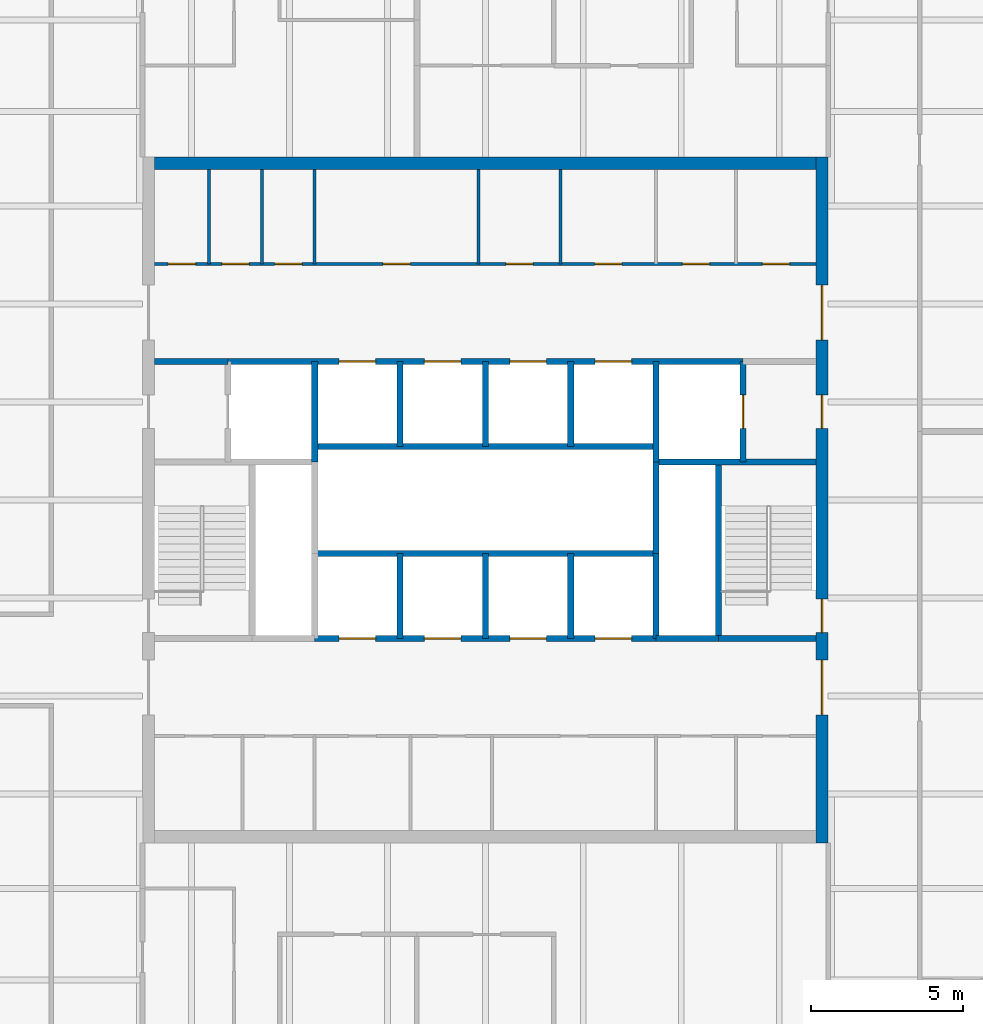
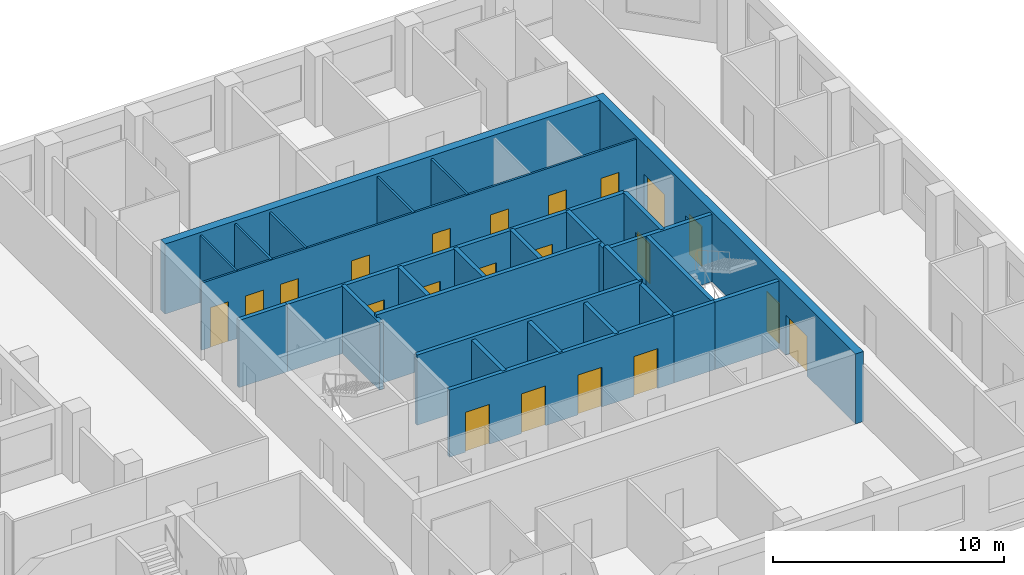
# One storey, part 6 of 9: 28 walls, 21 doors, 21 openings.
"""IFC4 building model written with IfcOpenShell, lengths in metres."""

from ifc_helpers import new_model, si_unit, direction, frame, frame_2d, origin, place, context, subcontext, project, spatial, rectangle, extrude, material, layer, layer_set, type_object, element, fill, save


model = new_model("IFC4")

# Units and contexts
model_context = context("Model", 3, precision=1e-05, world=origin(), true_north=direction((0.0, 1.0)))
body_context = subcontext(model_context, "Body", "Model", "MODEL_VIEW")
ifc_project = project(units=[si_unit("LENGTHUNIT", "METRE"), si_unit("AREAUNIT", "SQUARE_METRE"), si_unit("VOLUMEUNIT", "CUBIC_METRE"), si_unit("PLANEANGLEUNIT", "RADIAN"), si_unit("MASSUNIT", "GRAM", prefix="KILO")], contexts=[model_context])

# Site, building, storey
site_placement = place(None, origin())
site = spatial("IfcSite", under=ifc_project, at=site_placement, CompositionType="ELEMENT")
building_placement = place(site_placement, origin())
building = spatial("IfcBuilding", under=site, at=building_placement, Name="Quoin Convention Tower", CompositionType="ELEMENT")
storey_placement = place(building_placement, frame((0.0, 0.0, 248.89990234375)))
storey = spatial("IfcBuildingStorey", under=building, at=storey_placement, Name="L65", CompositionType="ELEMENT", Elevation=248.89990234375)

# Wall, openings, doors
ifc_material_1 = material(Name="Plasterboard")
ifc_layer_1 = layer(ifc_material_1, 0.012451171875, Name="Finish")
ifc_material_2 = material(Name="Steel stud framing", Category="steel")
ifc_layer_2 = layer(ifc_material_2, 0.074951171875, Name="Structure")
ifc_layer_3 = layer(ifc_material_1, 0.012451171875, Name="Finish")
ifc_layer_set_1 = layer_set([ifc_layer_1, ifc_layer_2, ifc_layer_3], Name="Steel stud framing")
wall_type_1 = type_object("IfcWallType", Name="Core partition wall", PredefinedType="PARTITIONING", material=ifc_layer_set_1)
wall_1_placement = place(storey_placement, frame((45.39990234375, 68.5, 0.0), z_axis=(0.0, 0.0, 1.0), x_axis=(1.0, 0.0, 0.0)))
wall_1 = element("IfcWall", 1, at=wall_1_placement, inside=storey, type_object=wall_type_1, Name="cr-C1-L65-h19000_400", PredefinedType="PARTITIONING", context=body_context, shape_type="SweptSolid", body=[
    extrude(rectangle(XDim=21.7001953125, YDim=0.10009765625, at=frame_2d((10.85009765625, 0.0))), origin(), (0.0, 0.0, 1.0), 3.550048828125),
])
opening_1_placement = place(wall_1_placement, frame((19.9375, 0.0, 0.0)))
opening_1 = element("IfcOpeningElement", 2, at=opening_1_placement, cuts=wall_1, Name="Opening DCV4-14", PredefinedType="OPENING", context=body_context, shape_type="SweptSolid", body=[
    extrude(rectangle(XDim=0.89990234375, YDim=2.10009765625, at=frame_2d((0.449951171875, 1.050048828125))), frame((0.0, 0.06005859375, 0.0), z_axis=(0.0, -1.0, 0.0), x_axis=(1.0, 0.0, 0.0)), (0.0, 0.0, 1.0), 0.1201171875),
])
opening_2_placement = place(wall_1_placement, frame((17.3125, 0.0, 0.0)))
opening_2 = element("IfcOpeningElement", 3, at=opening_2_placement, cuts=wall_1, Name="Opening DCV4-13", PredefinedType="OPENING", context=body_context, shape_type="SweptSolid", body=[
    extrude(rectangle(XDim=0.89990234375, YDim=2.10009765625, at=frame_2d((0.449951171875, 1.050048828125))), frame((0.0, 0.06005859375, 0.0), z_axis=(0.0, -1.0, 0.0), x_axis=(1.0, 0.0, 0.0)), (0.0, 0.0, 1.0), 0.1201171875),
])
opening_3_placement = place(wall_1_placement, frame((0.4423828125, 0.0, 0.0)))
opening_3 = element("IfcOpeningElement", 4, at=opening_3_placement, cuts=wall_1, Name="Opening DCV4-05", PredefinedType="OPENING", context=body_context, shape_type="SweptSolid", body=[
    extrude(rectangle(XDim=0.89990234375, YDim=2.10009765625, at=frame_2d((0.449951171875, 1.050048828125))), frame((0.0, 0.06005859375, 0.0), z_axis=(0.0, -1.0, 0.0), x_axis=(1.0, 0.0, 0.0)), (0.0, 0.0, 1.0), 0.1201171875),
])
opening_4_placement = place(wall_1_placement, frame((2.201416015625, 0.0, 0.0)))
opening_4 = element("IfcOpeningElement", 5, at=opening_4_placement, cuts=wall_1, Name="Opening DCV4-06", PredefinedType="OPENING", context=body_context, shape_type="SweptSolid", body=[
    extrude(rectangle(XDim=0.89990234375, YDim=2.10009765625, at=frame_2d((0.449951171875, 1.050048828125))), frame((0.0, 0.06005859375, 0.0), z_axis=(0.0, -1.0, 0.0), x_axis=(1.0, 0.0, 0.0)), (0.0, 0.0, 1.0), 0.1201171875),
])
opening_5_placement = place(wall_1_placement, frame((3.93359375, 0.0, 0.0)))
opening_5 = element("IfcOpeningElement", 6, at=opening_5_placement, cuts=wall_1, Name="Opening DCV4-07", PredefinedType="OPENING", context=body_context, shape_type="SweptSolid", body=[
    extrude(rectangle(XDim=0.89990234375, YDim=2.10009765625, at=frame_2d((0.449951171875, 1.050048828125))), frame((0.0, 0.06005859375, 0.0), z_axis=(0.0, -1.0, 0.0), x_axis=(1.0, 0.0, 0.0)), (0.0, 0.0, 1.0), 0.1201171875),
])
opening_6_placement = place(wall_1_placement, frame((14.431884765625, 0.0, 0.0)))
opening_6 = element("IfcOpeningElement", 7, at=opening_6_placement, cuts=wall_1, Name="Opening DCV4-12", PredefinedType="OPENING", context=body_context, shape_type="SweptSolid", body=[
    extrude(rectangle(XDim=0.89990234375, YDim=2.10009765625, at=frame_2d((0.449951171875, 1.050048828125))), frame((0.0, 0.06005859375, 0.0), z_axis=(0.0, -1.0, 0.0), x_axis=(1.0, 0.0, 0.0)), (0.0, 0.0, 1.0), 0.1201171875),
])
opening_7_placement = place(wall_1_placement, frame((11.52001953125, 0.0, 0.0)))
opening_7 = element("IfcOpeningElement", 8, at=opening_7_placement, cuts=wall_1, Name="Opening DCV4-10", PredefinedType="OPENING", context=body_context, shape_type="SweptSolid", body=[
    extrude(rectangle(XDim=0.89990234375, YDim=2.10009765625, at=frame_2d((0.449951171875, 1.050048828125))), frame((0.0, 0.06005859375, 0.0), z_axis=(0.0, -1.0, 0.0), x_axis=(1.0, 0.0, 0.0)), (0.0, 0.0, 1.0), 0.1201171875),
])
opening_8_placement = place(wall_1_placement, frame((7.488037109375, 0.0, 0.0)))
opening_8 = element("IfcOpeningElement", 9, at=opening_8_placement, cuts=wall_1, Name="Opening DCV4-09", PredefinedType="OPENING", context=body_context, shape_type="SweptSolid", body=[
    extrude(rectangle(XDim=0.89990234375, YDim=2.10009765625, at=frame_2d((0.449951171875, 1.050048828125))), frame((0.0, 0.06005859375, 0.0), z_axis=(0.0, -1.0, 0.0), x_axis=(1.0, 0.0, 0.0)), (0.0, 0.0, 1.0), 0.1201171875),
])
ifc_material_3 = material(Name="Steel door leaf", Category="steel")
door_type_1 = type_object("IfcDoorType", Name="Core room door 900 x 2100", OperationType="SINGLE_SWING_LEFT", PredefinedType="DOOR", material=ifc_material_3)
door_1_placement = place(opening_1_placement, origin())
door_1 = element("IfcDoor", 10, at=door_1_placement, inside=storey, type_object=door_type_1, Name="cd-C1-L65-CNE0-lobB-CD6507", OperationType="SINGLE_SWING_RIGHT", OverallHeight=2.10009765625, OverallWidth=0.89990234375, PredefinedType="DOOR", context=body_context, shape_type="SweptSolid", body=[
    extrude(rectangle(XDim=0.89990234375, YDim=2.10009765625, at=frame_2d((0.449951171875, 1.050048828125))), frame((0.0, 0.02490234375, 0.0), z_axis=(0.0, -1.0, 0.0), x_axis=(1.0, 0.0, 0.0)), (0.0, 0.0, 1.0), 0.050048828125),
])
fill(opening_1, door_1)
door_2_placement = place(opening_2_placement, origin())
door_2 = element("IfcDoor", 11, at=door_2_placement, inside=storey, type_object=door_type_1, Name="cd-C1-L65-CNE1-lobB-CD6508", OperationType="SINGLE_SWING_RIGHT", OverallHeight=2.10009765625, OverallWidth=0.89990234375, PredefinedType="DOOR", context=body_context, shape_type="SweptSolid", body=[
    extrude(rectangle(XDim=0.89990234375, YDim=2.10009765625, at=frame_2d((0.449951171875, 1.050048828125))), frame((0.0, 0.02490234375, 0.0), z_axis=(0.0, -1.0, 0.0), x_axis=(1.0, 0.0, 0.0)), (0.0, 0.0, 1.0), 0.050048828125),
])
fill(opening_2, door_2)
door_3_placement = place(opening_3_placement, origin())
door_3 = element("IfcDoor", 12, at=door_3_placement, inside=storey, type_object=door_type_1, Name="cd-C1-L65-CNW0-lobB-CD6509", OperationType="SINGLE_SWING_RIGHT", OverallHeight=2.10009765625, OverallWidth=0.89990234375, PredefinedType="DOOR", context=body_context, shape_type="SweptSolid", body=[
    extrude(rectangle(XDim=0.89990234375, YDim=2.10009765625, at=frame_2d((0.449951171875, 1.050048828125))), frame((0.0, 0.02490234375, 0.0), z_axis=(0.0, -1.0, 0.0), x_axis=(1.0, 0.0, 0.0)), (0.0, 0.0, 1.0), 0.050048828125),
])
fill(opening_3, door_3)
door_4_placement = place(opening_4_placement, origin())
door_4 = element("IfcDoor", 13, at=door_4_placement, inside=storey, type_object=door_type_1, Name="cd-C1-L65-CNW1-lobB-CD6510", OperationType="SINGLE_SWING_RIGHT", OverallHeight=2.10009765625, OverallWidth=0.89990234375, PredefinedType="DOOR", context=body_context, shape_type="SweptSolid", body=[
    extrude(rectangle(XDim=0.89990234375, YDim=2.10009765625, at=frame_2d((0.449951171875, 1.050048828125))), frame((0.0, 0.02490234375, 0.0), z_axis=(0.0, -1.0, 0.0), x_axis=(1.0, 0.0, 0.0)), (0.0, 0.0, 1.0), 0.050048828125),
])
fill(opening_4, door_4)
door_5_placement = place(opening_5_placement, origin())
door_5 = element("IfcDoor", 14, at=door_5_placement, inside=storey, type_object=door_type_1, Name="cd-C1-L65-CNW2-lobB-CD6511", OperationType="SINGLE_SWING_RIGHT", OverallHeight=2.10009765625, OverallWidth=0.89990234375, PredefinedType="DOOR", context=body_context, shape_type="SweptSolid", body=[
    extrude(rectangle(XDim=0.89990234375, YDim=2.10009765625, at=frame_2d((0.449951171875, 1.050048828125))), frame((0.0, 0.02490234375, 0.0), z_axis=(0.0, -1.0, 0.0), x_axis=(1.0, 0.0, 0.0)), (0.0, 0.0, 1.0), 0.050048828125),
])
fill(opening_5, door_5)
door_6_placement = place(opening_6_placement, origin())
door_6 = element("IfcDoor", 15, at=door_6_placement, inside=storey, type_object=door_type_1, Name="cd-C1-L65-F40-lobB-CD6519", OperationType="SINGLE_SWING_RIGHT", OverallHeight=2.10009765625, OverallWidth=0.89990234375, PredefinedType="DOOR", context=body_context, shape_type="SweptSolid", body=[
    extrude(rectangle(XDim=0.89990234375, YDim=2.10009765625, at=frame_2d((0.449951171875, 1.050048828125))), frame((0.0, 0.02490234375, 0.0), z_axis=(0.0, -1.0, 0.0), x_axis=(1.0, 0.0, 0.0)), (0.0, 0.0, 1.0), 0.050048828125),
])
fill(opening_6, door_6)
door_7_placement = place(opening_7_placement, origin())
door_7 = element("IfcDoor", 16, at=door_7_placement, inside=storey, type_object=door_type_1, Name="cd-C1-L65-F41-lobB-CD6520", OperationType="SINGLE_SWING_RIGHT", OverallHeight=2.10009765625, OverallWidth=0.89990234375, PredefinedType="DOOR", context=body_context, shape_type="SweptSolid", body=[
    extrude(rectangle(XDim=0.89990234375, YDim=2.10009765625, at=frame_2d((0.449951171875, 1.050048828125))), frame((0.0, 0.02490234375, 0.0), z_axis=(0.0, -1.0, 0.0), x_axis=(1.0, 0.0, 0.0)), (0.0, 0.0, 1.0), 0.050048828125),
])
fill(opening_7, door_7)
door_8_placement = place(opening_8_placement, origin())
door_8 = element("IfcDoor", 17, at=door_8_placement, inside=storey, type_object=door_type_1, Name="cd-C1-L65-F42-lobB-CD6521", OperationType="SINGLE_SWING_RIGHT", OverallHeight=2.10009765625, OverallWidth=0.89990234375, PredefinedType="DOOR", context=body_context, shape_type="SweptSolid", body=[
    extrude(rectangle(XDim=0.89990234375, YDim=2.10009765625, at=frame_2d((0.449951171875, 1.050048828125))), frame((0.0, 0.02490234375, 0.0), z_axis=(0.0, -1.0, 0.0), x_axis=(1.0, 0.0, 0.0)), (0.0, 0.0, 1.0), 0.050048828125),
])
fill(opening_8, door_8)

# Walls
for number, where, z_axis, x_axis, name in (
    (18, (47.18505859375, 68.5, 0.0), (0.0, 0.0, 1.0), (0.0, 1.0, 0.0), "cr-C1-L65-v2185_19000"),
    (19, (48.91748046875, 68.5, 0.0), (0.0, 0.0, 1.0), (0.0, 1.0, 0.0), "cr-C1-L65-v3918_19000"),
    (20, (50.64990234375, 68.5, 0.0), (0.0, 0.0, 1.0), (0.0, 1.0, 0.0), "cr-C1-L65-v5650_19000"),
    (21, (56.02587890625, 68.5, 0.0), (0.0, 0.0, 1.0), (0.0, 1.0, 0.0), "cr-C1-L65-v11026_19000"),
    (22, (58.714111328125, 68.5, 0.0), (0.0, 0.0, 1.0), (0.0, 1.0, 0.0), "cr-C1-L65-v13714_19000"),
):
    element("IfcWall", number, at=place(storey_placement, frame(where, z_axis=z_axis, x_axis=x_axis)), inside=storey, type_object=wall_type_1, Name=name, PredefinedType="PARTITIONING", context=body_context, shape_type="SweptSolid", body=[
        extrude(rectangle(XDim=3.10009765625, YDim=0.10009765625, at=frame_2d((1.550048828125, 0.0))), origin(), (0.0, 0.0, 1.0), 3.550048828125),
    ])
ifc_material_4 = material(Name="Concrete C50", Category="concrete")
ifc_layer_4 = layer(ifc_material_4, 0.199951171875)
ifc_layer_set_2 = layer_set([ifc_layer_4], Name="Concrete C50")
wall_type_2 = type_object("IfcWallType", Name="Core shaft wall", PredefinedType="SOLIDWALL", material=ifc_layer_set_2)
wall_2_placement = place(storey_placement, frame((61.85009765625, 56.199951171875, 0.0), z_axis=(0.0, 0.0, 1.0), x_axis=(1.0, 0.0, 0.0)))
element("IfcWall", 23, at=wall_2_placement, inside=storey, type_object=wall_type_2, Name="cr-C1-L65-h6700_16850", PredefinedType="SOLIDWALL", context=body_context, shape_type="SweptSolid", body=[
    extrude(rectangle(XDim=2.0498046875, YDim=0.199951171875, at=frame_2d((1.02490234375, 0.0))), origin(), (0.0, 0.0, 1.0), 3.550048828125),
])

# Wall, openings, doors
wall_3_placement = place(storey_placement, frame((50.64990234375, 56.199951171875, 0.0), z_axis=(0.0, 0.0, 1.0), x_axis=(1.0, 0.0, 0.0)))
wall_3 = element("IfcWall", 24, at=wall_3_placement, inside=storey, type_object=wall_type_2, Name="cr-C1-L65-h6700_5650", PredefinedType="SOLIDWALL", context=body_context, shape_type="SweptSolid", body=[
    extrude(rectangle(XDim=11.2001953125, YDim=0.199951171875, at=frame_2d((5.60009765625, 0.0))), origin(), (0.0, 0.0, 1.0), 3.550048828125),
])
opening_9_placement = place(wall_3_placement, frame((0.800048828125, 0.0, 0.0)))
opening_9 = element("IfcOpeningElement", 25, at=opening_9_placement, cuts=wall_3, Name="Opening LDH1", PredefinedType="OPENING", context=body_context, shape_type="SweptSolid", body=[
    extrude(rectangle(XDim=1.199951171875, YDim=2.10009765625, at=frame_2d((0.60009765625, 1.050048828125))), frame((0.0, 0.10986328125, 0.0), z_axis=(0.0, -1.0, 0.0), x_axis=(1.0, 0.0, 0.0)), (0.0, 0.0, 1.0), 0.219970703125),
])
opening_10_placement = place(wall_3_placement, frame((3.60009765625, 0.0, 0.0)))
opening_10 = element("IfcOpeningElement", 26, at=opening_10_placement, cuts=wall_3, Name="Opening LDH2", PredefinedType="OPENING", context=body_context, shape_type="SweptSolid", body=[
    extrude(rectangle(XDim=1.199951171875, YDim=2.10009765625, at=frame_2d((0.60009765625, 1.050048828125))), frame((0.0, 0.10986328125, 0.0), z_axis=(0.0, -1.0, 0.0), x_axis=(1.0, 0.0, 0.0)), (0.0, 0.0, 1.0), 0.219970703125),
])
opening_11_placement = place(wall_3_placement, frame((6.39990234375, 0.0, 0.0)))
opening_11 = element("IfcOpeningElement", 27, at=opening_11_placement, cuts=wall_3, Name="Opening LDH3", PredefinedType="OPENING", context=body_context, shape_type="SweptSolid", body=[
    extrude(rectangle(XDim=1.199951171875, YDim=2.10009765625, at=frame_2d((0.60009765625, 1.050048828125))), frame((0.0, 0.10986328125, 0.0), z_axis=(0.0, -1.0, 0.0), x_axis=(1.0, 0.0, 0.0)), (0.0, 0.0, 1.0), 0.219970703125),
])
opening_12_placement = place(wall_3_placement, frame((9.199951171875, 0.0, 0.0)))
opening_12 = element("IfcOpeningElement", 28, at=opening_12_placement, cuts=wall_3, Name="Opening LDH4", PredefinedType="OPENING", context=body_context, shape_type="SweptSolid", body=[
    extrude(rectangle(XDim=1.199951171875, YDim=2.10009765625, at=frame_2d((0.60009765625, 1.050048828125))), frame((0.0, 0.10986328125, 0.0), z_axis=(0.0, -1.0, 0.0), x_axis=(1.0, 0.0, 0.0)), (0.0, 0.0, 1.0), 0.219970703125),
])
door_type_2 = type_object("IfcDoorType", Name="Lift landing door 1200 x 2100", OperationType="DOUBLE_DOOR_SLIDING", PredefinedType="DOOR", material=ifc_material_3)
door_9_placement = place(opening_9_placement, origin())
door_9 = element("IfcDoor", 29, at=door_9_placement, inside=storey, type_object=door_type_2, Name="cd-C1-L65-R20-lobA-LDH1", OperationType="DOUBLE_DOOR_SLIDING", OverallHeight=2.10009765625, OverallWidth=1.199951171875, PredefinedType="DOOR", context=body_context, shape_type="SweptSolid", body=[
    extrude(rectangle(XDim=1.199951171875, YDim=2.10009765625, at=frame_2d((0.60009765625, 1.050048828125))), frame((0.0, 0.02490234375, 0.0), z_axis=(0.0, -1.0, 0.0), x_axis=(1.0, 0.0, 0.0)), (0.0, 0.0, 1.0), 0.050048828125),
])
fill(opening_9, door_9)
door_10_placement = place(opening_10_placement, origin())
door_10 = element("IfcDoor", 30, at=door_10_placement, inside=storey, type_object=door_type_2, Name="cd-C1-L65-R21-lobA-LDH2", OperationType="DOUBLE_DOOR_SLIDING", OverallHeight=2.10009765625, OverallWidth=1.199951171875, PredefinedType="DOOR", context=body_context, shape_type="SweptSolid", body=[
    extrude(rectangle(XDim=1.199951171875, YDim=2.10009765625, at=frame_2d((0.60009765625, 1.050048828125))), frame((0.0, 0.02490234375, 0.0), z_axis=(0.0, -1.0, 0.0), x_axis=(1.0, 0.0, 0.0)), (0.0, 0.0, 1.0), 0.050048828125),
])
fill(opening_10, door_10)
door_11_placement = place(opening_11_placement, origin())
door_11 = element("IfcDoor", 31, at=door_11_placement, inside=storey, type_object=door_type_2, Name="cd-C1-L65-R22-lobA-LDH3", OperationType="DOUBLE_DOOR_SLIDING", OverallHeight=2.10009765625, OverallWidth=1.199951171875, PredefinedType="DOOR", context=body_context, shape_type="SweptSolid", body=[
    extrude(rectangle(XDim=1.199951171875, YDim=2.10009765625, at=frame_2d((0.60009765625, 1.050048828125))), frame((0.0, 0.02490234375, 0.0), z_axis=(0.0, -1.0, 0.0), x_axis=(1.0, 0.0, 0.0)), (0.0, 0.0, 1.0), 0.050048828125),
])
fill(opening_11, door_11)
door_12_placement = place(opening_12_placement, origin())
door_12 = element("IfcDoor", 32, at=door_12_placement, inside=storey, type_object=door_type_2, Name="cd-C1-L65-R23-lobA-LDH4", OperationType="DOUBLE_DOOR_SLIDING", OverallHeight=2.10009765625, OverallWidth=1.199951171875, PredefinedType="DOOR", context=body_context, shape_type="SweptSolid", body=[
    extrude(rectangle(XDim=1.199951171875, YDim=2.10009765625, at=frame_2d((0.60009765625, 1.050048828125))), frame((0.0, 0.02490234375, 0.0), z_axis=(0.0, -1.0, 0.0), x_axis=(1.0, 0.0, 0.0)), (0.0, 0.0, 1.0), 0.050048828125),
])
fill(opening_12, door_12)

# Walls
wall_4_placement = place(storey_placement, frame((63.89990234375, 56.199951171875, 0.0), z_axis=(0.0, 0.0, 1.0), x_axis=(1.0, 0.0, 0.0)))
element("IfcWall", 33, at=wall_4_placement, inside=storey, type_object=wall_type_2, Name="cr-C1-L65-h6700_18900", PredefinedType="SOLIDWALL", context=body_context, shape_type="SweptSolid", body=[
    extrude(rectangle(XDim=3.2001953125, YDim=0.199951171875, at=frame_2d((1.60009765625, 0.0))), origin(), (0.0, 0.0, 1.0), 3.550048828125),
])
wall_5_placement = place(storey_placement, frame((61.85009765625, 62.0, 0.0), z_axis=(0.0, 0.0, 1.0), x_axis=(1.0, 0.0, 0.0)))
element("IfcWall", 34, at=wall_5_placement, inside=storey, type_object=wall_type_2, Name="cr-C1-L65-h12500_16850", PredefinedType="SOLIDWALL", context=body_context, shape_type="SweptSolid", body=[
    extrude(rectangle(XDim=5.25, YDim=0.199951171875, at=frame_2d((2.625, 0.0))), origin(), (0.0, 0.0, 1.0), 3.550048828125),
])
wall_6_placement = place(storey_placement, frame((45.39990234375, 65.300048828125, 0.0), z_axis=(0.0, 0.0, 1.0), x_axis=(1.0, 0.0, 0.0)))
element("IfcWall", 35, at=wall_6_placement, inside=storey, type_object=wall_type_2, Name="cr-C1-L65-h15800_400", PredefinedType="SOLIDWALL", context=body_context, shape_type="SweptSolid", body=[
    extrude(rectangle(XDim=2.400146484375, YDim=0.199951171875, at=frame_2d((1.2001953125, 0.0))), origin(), (0.0, 0.0, 1.0), 3.550048828125),
])

# Wall, openings, doors
wall_7_placement = place(storey_placement, frame((47.800048828125, 65.300048828125, 0.0), z_axis=(0.0, 0.0, 1.0), x_axis=(1.0, 0.0, 0.0)))
wall_7 = element("IfcWall", 36, at=wall_7_placement, inside=storey, type_object=wall_type_2, Name="cr-C1-L65-h15800_2800", PredefinedType="SOLIDWALL", context=body_context, shape_type="SweptSolid", body=[
    extrude(rectangle(XDim=16.89990234375, YDim=0.199951171875, at=frame_2d((8.449951171875, 0.0))), origin(), (0.0, 0.0, 1.0), 3.550048828125),
])
opening_13_placement = place(wall_7_placement, frame((3.64990234375, 0.0, 0.0)))
opening_13 = element("IfcOpeningElement", 37, at=opening_13_placement, cuts=wall_7, Name="Opening LDH5", PredefinedType="OPENING", context=body_context, shape_type="SweptSolid", body=[
    extrude(rectangle(XDim=1.199951171875, YDim=2.10009765625, at=frame_2d((0.60009765625, 1.050048828125))), frame((0.0, 0.10986328125, 0.0), z_axis=(0.0, -1.0, 0.0), x_axis=(1.0, 0.0, 0.0)), (0.0, 0.0, 1.0), 0.219970703125),
])
opening_14_placement = place(wall_7_placement, frame((6.449951171875, 0.0, 0.0)))
opening_14 = element("IfcOpeningElement", 38, at=opening_14_placement, cuts=wall_7, Name="Opening LDH6", PredefinedType="OPENING", context=body_context, shape_type="SweptSolid", body=[
    extrude(rectangle(XDim=1.199951171875, YDim=2.10009765625, at=frame_2d((0.60009765625, 1.050048828125))), frame((0.0, 0.10986328125, 0.0), z_axis=(0.0, -1.0, 0.0), x_axis=(1.0, 0.0, 0.0)), (0.0, 0.0, 1.0), 0.219970703125),
])
opening_15_placement = place(wall_7_placement, frame((9.25, 0.0, 0.0)))
opening_15 = element("IfcOpeningElement", 39, at=opening_15_placement, cuts=wall_7, Name="Opening LDH7", PredefinedType="OPENING", context=body_context, shape_type="SweptSolid", body=[
    extrude(rectangle(XDim=1.199951171875, YDim=2.10009765625, at=frame_2d((0.60009765625, 1.050048828125))), frame((0.0, 0.10986328125, 0.0), z_axis=(0.0, -1.0, 0.0), x_axis=(1.0, 0.0, 0.0)), (0.0, 0.0, 1.0), 0.219970703125),
])
opening_16_placement = place(wall_7_placement, frame((12.050048828125, 0.0, 0.0)))
opening_16 = element("IfcOpeningElement", 40, at=opening_16_placement, cuts=wall_7, Name="Opening LDH8", PredefinedType="OPENING", context=body_context, shape_type="SweptSolid", body=[
    extrude(rectangle(XDim=1.199951171875, YDim=2.10009765625, at=frame_2d((0.60009765625, 1.050048828125))), frame((0.0, 0.10986328125, 0.0), z_axis=(0.0, -1.0, 0.0), x_axis=(1.0, 0.0, 0.0)), (0.0, 0.0, 1.0), 0.219970703125),
])
door_13_placement = place(opening_13_placement, origin())
door_13 = element("IfcDoor", 41, at=door_13_placement, inside=storey, type_object=door_type_2, Name="cd-C1-L65-R30-lobB-LDH5", OperationType="DOUBLE_DOOR_SLIDING", OverallHeight=2.10009765625, OverallWidth=1.199951171875, PredefinedType="DOOR", context=body_context, shape_type="SweptSolid", body=[
    extrude(rectangle(XDim=1.199951171875, YDim=2.10009765625, at=frame_2d((0.60009765625, 1.050048828125))), frame((0.0, 0.02490234375, 0.0), z_axis=(0.0, -1.0, 0.0), x_axis=(1.0, 0.0, 0.0)), (0.0, 0.0, 1.0), 0.050048828125),
])
fill(opening_13, door_13)
door_14_placement = place(opening_14_placement, origin())
door_14 = element("IfcDoor", 42, at=door_14_placement, inside=storey, type_object=door_type_2, Name="cd-C1-L65-R31-lobB-LDH6", OperationType="DOUBLE_DOOR_SLIDING", OverallHeight=2.10009765625, OverallWidth=1.199951171875, PredefinedType="DOOR", context=body_context, shape_type="SweptSolid", body=[
    extrude(rectangle(XDim=1.199951171875, YDim=2.10009765625, at=frame_2d((0.60009765625, 1.050048828125))), frame((0.0, 0.02490234375, 0.0), z_axis=(0.0, -1.0, 0.0), x_axis=(1.0, 0.0, 0.0)), (0.0, 0.0, 1.0), 0.050048828125),
])
fill(opening_14, door_14)
door_15_placement = place(opening_15_placement, origin())
door_15 = element("IfcDoor", 43, at=door_15_placement, inside=storey, type_object=door_type_2, Name="cd-C1-L65-R32-lobB-LDH7", OperationType="DOUBLE_DOOR_SLIDING", OverallHeight=2.10009765625, OverallWidth=1.199951171875, PredefinedType="DOOR", context=body_context, shape_type="SweptSolid", body=[
    extrude(rectangle(XDim=1.199951171875, YDim=2.10009765625, at=frame_2d((0.60009765625, 1.050048828125))), frame((0.0, 0.02490234375, 0.0), z_axis=(0.0, -1.0, 0.0), x_axis=(1.0, 0.0, 0.0)), (0.0, 0.0, 1.0), 0.050048828125),
])
fill(opening_15, door_15)
door_16_placement = place(opening_16_placement, origin())
door_16 = element("IfcDoor", 44, at=door_16_placement, inside=storey, type_object=door_type_2, Name="cd-C1-L65-R33-lobB-LDH8", OperationType="DOUBLE_DOOR_SLIDING", OverallHeight=2.10009765625, OverallWidth=1.199951171875, PredefinedType="DOOR", context=body_context, shape_type="SweptSolid", body=[
    extrude(rectangle(XDim=1.199951171875, YDim=2.10009765625, at=frame_2d((0.60009765625, 1.050048828125))), frame((0.0, 0.02490234375, 0.0), z_axis=(0.0, -1.0, 0.0), x_axis=(1.0, 0.0, 0.0)), (0.0, 0.0, 1.0), 0.050048828125),
])
fill(opening_16, door_16)

# Walls
wall_8_placement = place(storey_placement, frame((50.64990234375, 62.0, 0.0), z_axis=(0.0, 0.0, 1.0), x_axis=(0.0, 1.0, 0.0)))
element("IfcWall", 45, at=wall_8_placement, inside=storey, type_object=wall_type_2, Name="cr-C1-L65-v5650_12500", PredefinedType="SOLIDWALL", context=body_context, shape_type="SweptSolid", body=[
    extrude(rectangle(XDim=3.300048828125, YDim=0.199951171875, at=frame_2d((1.64990234375, 0.0))), origin(), (0.0, 0.0, 1.0), 3.550048828125),
])
for number, where, z_axis, x_axis, name in (
    (46, (53.449951171875, 56.199951171875, 0.0), (0.0, 0.0, 1.0), (0.0, 1.0, 0.0), "cr-C1-L65-v8450_6700"),
    (47, (53.449951171875, 62.5, 0.0), (0.0, 0.0, 1.0), (0.0, 1.0, 0.0), "cr-C1-L65-v8450_13000"),
    (48, (56.25, 56.199951171875, 0.0), (0.0, 0.0, 1.0), (0.0, 1.0, 0.0), "cr-C1-L65-v11250_6700"),
    (49, (56.25, 62.5, 0.0), (0.0, 0.0, 1.0), (0.0, 1.0, 0.0), "cr-C1-L65-v11250_13000"),
    (50, (59.050048828125, 56.199951171875, 0.0), (0.0, 0.0, 1.0), (0.0, 1.0, 0.0), "cr-C1-L65-v14050_6700"),
    (51, (59.050048828125, 62.5, 0.0), (0.0, 0.0, 1.0), (0.0, 1.0, 0.0), "cr-C1-L65-v14050_13000"),
    (52, (61.85009765625, 56.199951171875, 0.0), (0.0, 0.0, 1.0), (0.0, 1.0, 0.0), "cr-C1-L65-v16850_6700"),
):
    element("IfcWall", number, at=place(storey_placement, frame(where, z_axis=z_axis, x_axis=x_axis)), inside=storey, type_object=wall_type_2, Name=name, PredefinedType="SOLIDWALL", context=body_context, shape_type="SweptSolid", body=[
        extrude(rectangle(XDim=2.800048828125, YDim=0.199951171875, at=frame_2d((1.39990234375, 0.0))), origin(), (0.0, 0.0, 1.0), 3.550048828125),
    ])
wall_9_placement = place(storey_placement, frame((61.85009765625, 62.0, 0.0), z_axis=(0.0, 0.0, 1.0), x_axis=(0.0, 1.0, 0.0)))
element("IfcWall", 53, at=wall_9_placement, inside=storey, type_object=wall_type_2, Name="cr-C1-L65-v16850_12500", PredefinedType="SOLIDWALL", context=body_context, shape_type="SweptSolid", body=[
    extrude(rectangle(XDim=3.300048828125, YDim=0.199951171875, at=frame_2d((1.64990234375, 0.0))), origin(), (0.0, 0.0, 1.0), 3.550048828125),
])
wall_10_placement = place(storey_placement, frame((63.89990234375, 56.199951171875, 0.0), z_axis=(0.0, 0.0, 1.0), x_axis=(0.0, 1.0, 0.0)))
element("IfcWall", 54, at=wall_10_placement, inside=storey, type_object=wall_type_2, Name="cr-C1-L65-v18900_6700", PredefinedType="SOLIDWALL", context=body_context, shape_type="SweptSolid", body=[
    extrude(rectangle(XDim=5.800048828125, YDim=0.199951171875, at=frame_2d((2.89990234375, 0.0))), origin(), (0.0, 0.0, 1.0), 3.550048828125),
])

# Wall, opening, door
wall_11_placement = place(storey_placement, frame((64.699951171875, 62.0, 0.0), z_axis=(0.0, 0.0, 1.0), x_axis=(0.0, 1.0, 0.0)))
wall_11 = element("IfcWall", 55, at=wall_11_placement, inside=storey, type_object=wall_type_2, Name="cr-C1-L65-v19700_12500", PredefinedType="SOLIDWALL", context=body_context, shape_type="SweptSolid", body=[
    extrude(rectangle(XDim=3.300048828125, YDim=0.199951171875, at=frame_2d((1.64990234375, 0.0))), origin(), (0.0, 0.0, 1.0), 3.550048828125),
])
opening_17_placement = place(wall_11_placement, frame((1.10009765625, 0.0, 0.0)))
opening_17 = element("IfcOpeningElement", 56, at=opening_17_placement, cuts=wall_11, Name="Opening LDFL2", PredefinedType="OPENING", context=body_context, shape_type="SweptSolid", body=[
    extrude(rectangle(XDim=1.10009765625, YDim=2.10009765625, at=frame_2d((0.550048828125, 1.050048828125))), frame((0.0, 0.10986328125, 0.0), z_axis=(0.0, -1.0, 0.0), x_axis=(1.0, 0.0, 0.0)), (0.0, 0.0, 1.0), 0.219970703125),
])
door_type_3 = type_object("IfcDoorType", Name="Lift landing door 1100 x 2100", OperationType="DOUBLE_DOOR_SLIDING", PredefinedType="DOOR", material=ifc_material_3)
door_17_placement = place(opening_17_placement, origin())
door_17 = element("IfcDoor", 57, at=door_17_placement, inside=storey, type_object=door_type_3, Name="cd-C1-L65-FLE-FFE-LDFL2", OperationType="DOUBLE_DOOR_SLIDING", OverallHeight=2.10009765625, OverallWidth=1.10009765625, PredefinedType="DOOR", context=body_context, shape_type="SweptSolid", body=[
    extrude(rectangle(XDim=1.10009765625, YDim=2.10009765625, at=frame_2d((0.550048828125, 1.050048828125))), frame((0.0, 0.02490234375, 0.0), z_axis=(0.0, -1.0, 0.0), x_axis=(1.0, 0.0, 0.0)), (0.0, 0.0, 1.0), 0.050048828125),
])
fill(opening_17, door_17)

# Walls
ifc_layer_5 = layer(ifc_material_4, 0.199951171875)
ifc_layer_set_3 = layer_set([ifc_layer_5], Name="Concrete C50")
wall_type_3 = type_object("IfcWallType", Name="Core shaft wall to the floor level over", PredefinedType="SOLIDWALL", material=ifc_layer_set_3)
for number, where, z_axis, x_axis, name in (
    (58, (50.64990234375, 59.0, 0.0), (0.0, 0.0, 1.0), (1.0, 0.0, 0.0), "cr-C1-L65-h9500_5650"),
    (59, (50.64990234375, 62.5, 0.0), (0.0, 0.0, 1.0), (1.0, 0.0, 0.0), "cr-C1-L65-h13000_5650"),
):
    element("IfcWall", number, at=place(storey_placement, frame(where, z_axis=z_axis, x_axis=x_axis)), inside=storey, type_object=wall_type_3, Name=name, PredefinedType="SOLIDWALL", context=body_context, shape_type="SweptSolid", body=[
        extrude(rectangle(XDim=11.2001953125, YDim=0.199951171875, at=frame_2d((5.60009765625, 0.0))), origin(), (0.0, 0.0, 1.0), 3.7001953125),
    ])
wall_12_placement = place(storey_placement, frame((61.85009765625, 59.0, 0.0), z_axis=(0.0, 0.0, 1.0), x_axis=(0.0, 1.0, 0.0)))
element("IfcWall", 60, at=wall_12_placement, inside=storey, type_object=wall_type_3, Name="cr-C1-L65-v16850_9500", PredefinedType="SOLIDWALL", context=body_context, shape_type="SweptSolid", body=[
    extrude(rectangle(XDim=3.0, YDim=0.199951171875, at=frame_2d((1.5, 0.0))), origin(), (0.0, 0.0, 1.0), 3.7001953125),
])
ifc_layer_6 = layer(ifc_material_4, 0.39990234375)
ifc_layer_set_4 = layer_set([ifc_layer_6], Name="Concrete C50")
wall_type_4 = type_object("IfcWallType", Name="RC CORE WALL 400 C50", PredefinedType="SHEAR", material=ifc_layer_set_4)
wall_13_placement = place(storey_placement, frame((45.39990234375, 71.800048828125, 0.0), z_axis=(0.0, 0.0, 1.0), x_axis=(1.0, 0.0, 0.0)))
element("IfcWall", 61, at=wall_13_placement, inside=storey, type_object=wall_type_4, Name="cwl-C1-L65-N", PredefinedType="SHEAR", context=body_context, shape_type="SweptSolid", body=[
    extrude(rectangle(XDim=21.7001953125, YDim=0.39990234375, at=frame_2d((10.85009765625, 0.0))), origin(), (0.0, 0.0, 1.0), 3.7001953125),
])

# Wall, openings, doors
wall_14_placement = place(storey_placement, frame((67.300048828125, 49.5, 0.0), z_axis=(0.0, 0.0, 1.0), x_axis=(0.0, 1.0, 0.0)))
wall_14 = element("IfcWall", 62, at=wall_14_placement, inside=storey, type_object=wall_type_4, Name="cwl-C1-L65-E", PredefinedType="SHEAR", context=body_context, shape_type="SweptSolid", body=[
    extrude(rectangle(XDim=22.5, YDim=0.39990234375, at=frame_2d((11.25, 0.0))), origin(), (0.0, 0.0, 1.0), 3.7001953125),
])
opening_18_placement = place(wall_14_placement, frame((4.199951171875, 0.0, 0.0)))
opening_18 = element("IfcOpeningElement", 63, at=opening_18_placement, cuts=wall_14, Name="Opening DCV4-39", PredefinedType="OPENING", context=body_context, shape_type="SweptSolid", body=[
    extrude(rectangle(XDim=1.800048828125, YDim=2.10009765625, at=frame_2d((0.89990234375, 1.050048828125))), frame((0.0, 0.2099609375, 0.0), z_axis=(0.0, -1.0, 0.0), x_axis=(1.0, 0.0, 0.0)), (0.0, 0.0, 1.0), 0.419921875),
])
opening_19_placement = place(wall_14_placement, frame((6.89990234375, 0.0, 0.0)))
opening_19 = element("IfcOpeningElement", 64, at=opening_19_placement, cuts=wall_14, Name="Opening SD2", PredefinedType="OPENING", context=body_context, shape_type="SweptSolid", body=[
    extrude(rectangle(XDim=1.10009765625, YDim=2.10009765625, at=frame_2d((0.550048828125, 1.050048828125))), frame((0.0, 0.2099609375, 0.0), z_axis=(0.0, -1.0, 0.0), x_axis=(1.0, 0.0, 0.0)), (0.0, 0.0, 1.0), 0.419921875),
])
opening_20_placement = place(wall_14_placement, frame((13.60009765625, 0.0, 0.0)))
opening_20 = element("IfcOpeningElement", 65, at=opening_20_placement, cuts=wall_14, Name="Opening DCV4-38", PredefinedType="OPENING", context=body_context, shape_type="SweptSolid", body=[
    extrude(rectangle(XDim=1.10009765625, YDim=2.10009765625, at=frame_2d((0.550048828125, 1.050048828125))), frame((0.0, 0.2099609375, 0.0), z_axis=(0.0, -1.0, 0.0), x_axis=(1.0, 0.0, 0.0)), (0.0, 0.0, 1.0), 0.419921875),
])
opening_21_placement = place(wall_14_placement, frame((16.5, 0.0, 0.0)))
opening_21 = element("IfcOpeningElement", 66, at=opening_21_placement, cuts=wall_14, Name="Opening DCV4-39", PredefinedType="OPENING", context=body_context, shape_type="SweptSolid", body=[
    extrude(rectangle(XDim=1.800048828125, YDim=2.10009765625, at=frame_2d((0.89990234375, 1.050048828125))), frame((0.0, 0.2099609375, 0.0), z_axis=(0.0, -1.0, 0.0), x_axis=(1.0, 0.0, 0.0)), (0.0, 0.0, 1.0), 0.419921875),
])
door_type_4 = type_object("IfcDoorType", Name="Fire-fighting lobby door 1100 x 2100", OperationType="SINGLE_SWING_LEFT", PredefinedType="DOOR", material=ifc_material_3)
door_18_placement = place(opening_20_placement, origin())
door_18 = element("IfcDoor", 67, at=door_18_placement, inside=storey, type_object=door_type_4, Name="cd-C1-L65-FFE-E", OperationType="SINGLE_SWING_RIGHT", OverallHeight=2.10009765625, OverallWidth=1.10009765625, PredefinedType="DOOR", context=body_context, shape_type="SweptSolid", body=[
    extrude(rectangle(XDim=1.10009765625, YDim=2.10009765625, at=frame_2d((0.550048828125, 1.050048828125))), frame((0.0, 0.02490234375, 0.0), z_axis=(0.0, -1.0, 0.0), x_axis=(1.0, 0.0, 0.0)), (0.0, 0.0, 1.0), 0.050048828125),
])
fill(opening_20, door_18)
door_type_5 = type_object("IfcDoorType", Name="Lift lobby door 1800 x 2100", OperationType="SINGLE_SWING_LEFT", PredefinedType="DOOR", material=ifc_material_3)
door_19_placement = place(opening_18_placement, origin())
door_19 = element("IfcDoor", 68, at=door_19_placement, inside=storey, type_object=door_type_5, Name="cd-C1-L65-lobA-E", OperationType="SINGLE_SWING_RIGHT", OverallHeight=2.10009765625, OverallWidth=1.800048828125, PredefinedType="DOOR", context=body_context, shape_type="SweptSolid", body=[
    extrude(rectangle(XDim=1.800048828125, YDim=2.10009765625, at=frame_2d((0.89990234375, 1.050048828125))), frame((0.0, 0.02490234375, 0.0), z_axis=(0.0, -1.0, 0.0), x_axis=(1.0, 0.0, 0.0)), (0.0, 0.0, 1.0), 0.050048828125),
])
fill(opening_18, door_19)
door_20_placement = place(opening_21_placement, origin())
door_20 = element("IfcDoor", 69, at=door_20_placement, inside=storey, type_object=door_type_5, Name="cd-C1-L65-lobB-E", OperationType="SINGLE_SWING_RIGHT", OverallHeight=2.10009765625, OverallWidth=1.800048828125, PredefinedType="DOOR", context=body_context, shape_type="SweptSolid", body=[
    extrude(rectangle(XDim=1.800048828125, YDim=2.10009765625, at=frame_2d((0.89990234375, 1.050048828125))), frame((0.0, 0.02490234375, 0.0), z_axis=(0.0, -1.0, 0.0), x_axis=(1.0, 0.0, 0.0)), (0.0, 0.0, 1.0), 0.050048828125),
])
fill(opening_21, door_20)
door_type_6 = type_object("IfcDoorType", Name="Stair door 1100 x 2100", OperationType="SINGLE_SWING_RIGHT", PredefinedType="DOOR", material=ifc_material_3)
door_21_placement = place(opening_19_placement, origin())
door_21 = element("IfcDoor", 70, at=door_21_placement, inside=storey, type_object=door_type_6, Name="cd-C1-L65-STE-E", OperationType="SINGLE_SWING_LEFT", OverallHeight=2.10009765625, OverallWidth=1.10009765625, PredefinedType="DOOR", context=body_context, shape_type="SweptSolid", body=[
    extrude(rectangle(XDim=1.10009765625, YDim=2.10009765625, at=frame_2d((0.550048828125, 1.050048828125))), frame((0.0, 0.02490234375, 0.0), z_axis=(0.0, -1.0, 0.0), x_axis=(1.0, 0.0, 0.0)), (0.0, 0.0, 1.0), 0.050048828125),
])
fill(opening_19, door_21)

save(model, "model.ifc")
